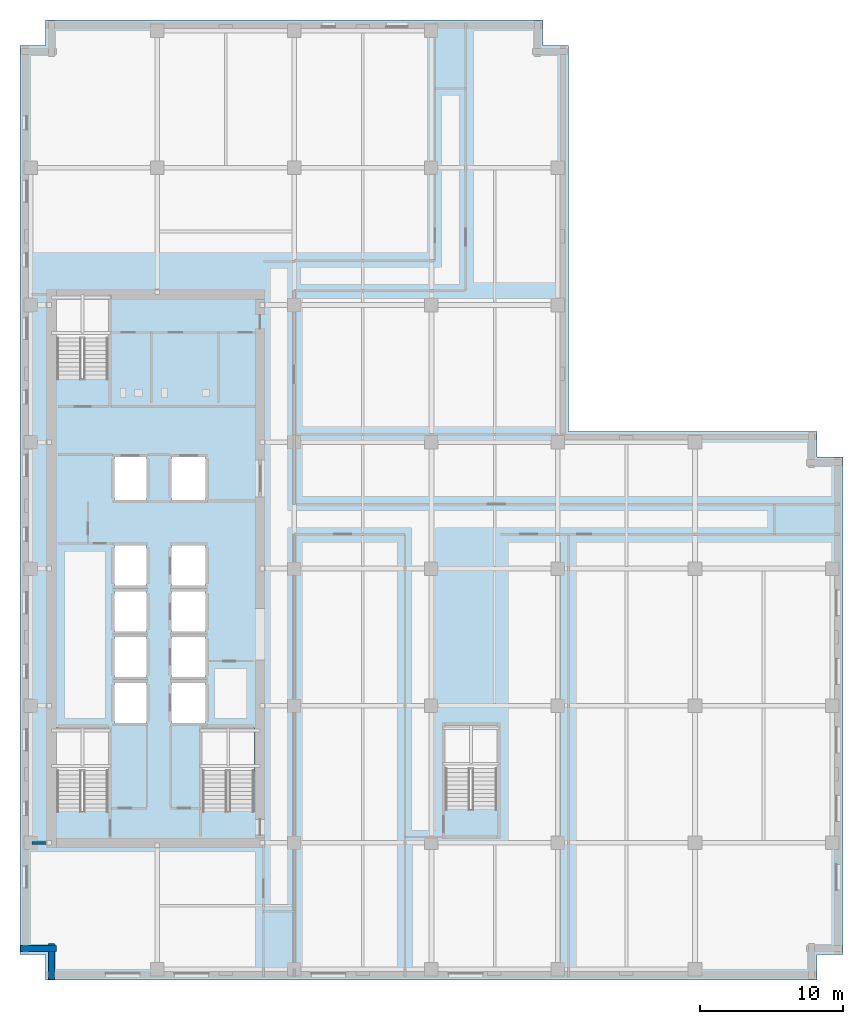
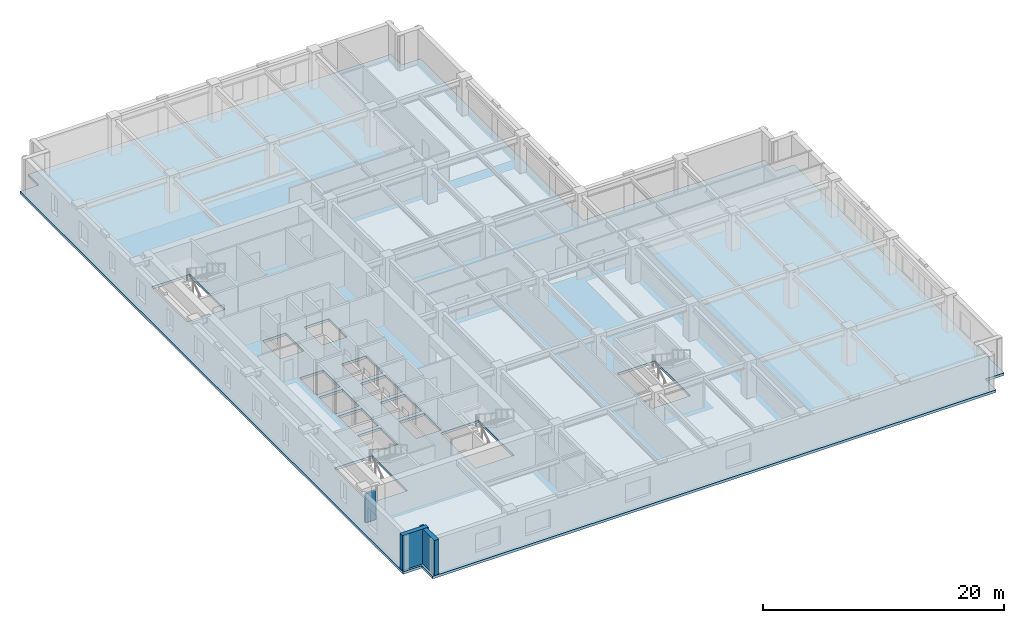
# One storey, part 3 of 14: 3 walls, 1 slab.
"""IFC4 building model written with IfcOpenShell, lengths in metres."""

from ifc_helpers import new_model, si_unit, direction, frame, frame_2d, origin, place, context, subcontext, project, spatial, polyline, rectangle, outline, extrude, material, layer, layer_set, type_object, element, save


model = new_model("IFC4")

# Units and contexts
model_context = context("Model", 3, precision=1e-05, world=origin(), true_north=direction((0.0, 1.0)))
body_context = subcontext(model_context, "Body", "Model", "MODEL_VIEW")
ifc_project = project(units=[si_unit("LENGTHUNIT", "METRE"), si_unit("AREAUNIT", "SQUARE_METRE"), si_unit("VOLUMEUNIT", "CUBIC_METRE"), si_unit("PLANEANGLEUNIT", "RADIAN"), si_unit("MASSUNIT", "GRAM", prefix="KILO")], contexts=[model_context])

# Site, building, storey
site_placement = place(None, origin())
site = spatial("IfcSite", under=ifc_project, at=site_placement, CompositionType="ELEMENT")
building_placement = place(site_placement, origin())
building = spatial("IfcBuilding", under=site, at=building_placement, Name="Norrvale University Quadrangle", CompositionType="ELEMENT")
storey_placement = place(building_placement, frame((0.0, 0.0, 156.0)))
storey = spatial("IfcBuildingStorey", under=building, at=storey_placement, Name="L39", CompositionType="ELEMENT", Elevation=156.0)

# Slab
ifc_material_1 = material(Name="Concrete C40/50", Category="concrete")
ifc_layer_1 = layer(ifc_material_1, 0.260009765625, Name="Concrete C40/50")
ifc_layer_set_1 = layer_set([ifc_layer_1], Name="Concrete C40/50")
slab_type = type_object("IfcSlabType", Name="Slab Tower Typ 260", PredefinedType="FLOOR", material=ifc_layer_set_1)
slab_placement = place(storey_placement, frame((0.0, 0.0, -0.260009765625)))
element("IfcSlab", 1, at=slab_placement, inside=storey, type_object=slab_type, Name="Tower L39 Floor Slab", PredefinedType="FLOOR", context=body_context, shape_type="SweptSolid", body=[
    extrude(outline(polyline([(1.800048828125, 0.0), (55.800048828125, 0.0), (55.800048828125, 1.800048828125), (57.60009765625, 1.800048828125), (57.60009765625, 36.60009765625), (55.800048828125, 36.60009765625), (55.800048828125, 38.39990234375), (38.39990234375, 38.39990234375), (38.39990234375, 65.39990234375), (36.60009765625, 65.39990234375), (36.60009765625, 67.199951171875), (1.800048828125, 67.199951171875), (1.800048828125, 65.39990234375), (0.0, 65.39990234375), (0.0, 1.800048828125), (1.800048828125, 1.800048828125), (1.800048828125, 0.0)]), holes=[polyline([(2.550048828125, 11.81005859375), (6.199951171875, 11.81005859375), (6.199951171875, 17.64990234375), (2.550048828125, 17.64990234375), (2.550048828125, 11.81005859375)]), polyline([(2.550048828125, 42.110107421875), (6.199951171875, 42.110107421875), (6.199951171875, 47.949951171875), (2.550048828125, 47.949951171875), (2.550048828125, 42.110107421875)]), polyline([(12.75, 11.81005859375), (16.39990234375, 11.81005859375), (16.39990234375, 17.64990234375), (12.75, 17.64990234375), (12.75, 11.81005859375)]), polyline([(29.75, 11.9599609375), (33.39990234375, 11.9599609375), (33.39990234375, 17.800048828125), (29.75, 17.800048828125), (29.75, 11.9599609375)]), polyline([(6.60009765625, 18.0), (8.85009765625, 18.0), (8.85009765625, 20.800048828125), (6.60009765625, 20.800048828125), (6.60009765625, 18.0)]), polyline([(6.60009765625, 21.199951171875), (8.85009765625, 21.199951171875), (8.85009765625, 24.0), (6.60009765625, 24.0), (6.60009765625, 21.199951171875)]), polyline([(6.60009765625, 24.39990234375), (8.85009765625, 24.39990234375), (8.85009765625, 27.199951171875), (6.60009765625, 27.199951171875), (6.60009765625, 24.39990234375)]), polyline([(6.60009765625, 27.60009765625), (8.85009765625, 27.60009765625), (8.85009765625, 30.39990234375), (6.60009765625, 30.39990234375), (6.60009765625, 27.60009765625)]), polyline([(10.60009765625, 18.0), (13.0, 18.0), (13.0, 20.800048828125), (10.60009765625, 20.800048828125), (10.60009765625, 18.0)]), polyline([(10.60009765625, 21.199951171875), (13.0, 21.199951171875), (13.0, 24.0), (10.60009765625, 24.0), (10.60009765625, 21.199951171875)]), polyline([(10.60009765625, 24.39990234375), (13.0, 24.39990234375), (13.0, 27.199951171875), (10.60009765625, 27.199951171875), (10.60009765625, 24.39990234375)]), polyline([(10.60009765625, 27.60009765625), (13.0, 27.60009765625), (13.0, 30.39990234375), (10.60009765625, 30.39990234375), (10.60009765625, 27.60009765625)]), polyline([(6.60009765625, 33.60009765625), (8.85009765625, 33.60009765625), (8.85009765625, 36.60009765625), (6.60009765625, 36.60009765625), (6.60009765625, 33.60009765625)]), polyline([(10.60009765625, 33.60009765625), (13.0, 33.60009765625), (13.0, 36.60009765625), (10.60009765625, 36.60009765625), (10.60009765625, 33.60009765625)])]), origin(), (0.0, 0.0, 1.0), 0.260009765625),
])

# Walls
ifc_material_2 = material(Name="Buff Norman Clay Brick Masonry", Category="masonry")
ifc_layer_2 = layer(ifc_material_2, 0.419921875, Name="Buff Norman Clay Brick Masonry")
ifc_layer_set_2 = layer_set([ifc_layer_2], Name="Buff Norman Clay Brick Masonry")
wall_type_1 = type_object("IfcWallType", Name="Wall Buff Brick 420", PredefinedType="SOLIDWALL", material=ifc_layer_set_2)
for number, where, z_axis, x_axis, name in (
    (2, (0.0400390625, 2.18994140625, 0.0), (0.0, 0.0, 1.0), (1.0, 0.0, 0.0), "Exterior Brick Facade Wall L39-15.1"),
    (3, (2.18994140625, 2.5400390625, 0.0), (0.0, 0.0, 1.0), (0.0, -1.0, 0.0), "Exterior Brick Facade Wall L39-16.1"),
):
    element("IfcWall", number, at=place(storey_placement, frame(where, z_axis=z_axis, x_axis=x_axis)), inside=storey, type_object=wall_type_1, Name=name, PredefinedType="SOLIDWALL", context=body_context, shape_type="SweptSolid", body=[
        extrude(rectangle(XDim=2.5, YDim=0.419921875, at=frame_2d((1.25, 0.0))), origin(), (0.0, 0.0, 1.0), 3.5400390625),
    ])
ifc_material_3 = material(Name="Concrete Blockwork 20 MPa Rated Wall", Category="masonry")
ifc_layer_3 = layer(ifc_material_3, 0.199951171875, Name="Concrete Blockwork 20 MPa Rated Wall")
ifc_layer_set_3 = layer_set([ifc_layer_3], Name="Concrete Blockwork 20 MPa Rated Wall")
wall_type_2 = type_object("IfcWallType", Name="Wall Lobby 200", PredefinedType="SOLIDWALL", material=ifc_layer_set_3)
wall_placement = place(storey_placement, frame((0.85009765625, 9.60009765625, 0.0), z_axis=(0.0, 0.0, 1.0), x_axis=(1.0, 0.0, 0.0)))
element("IfcWall", 4, at=wall_placement, inside=storey, type_object=wall_type_2, Name="Interior Partition WL-L39-CWRET-S", PredefinedType="SOLIDWALL", context=body_context, shape_type="SweptSolid", body=[
    extrude(rectangle(XDim=0.994873046875, YDim=0.199951171875, at=frame_2d((0.49755859375, 0.0))), origin(), (0.0, 0.0, 1.0), 2.924072265625),
])

save(model, "model.ifc")
